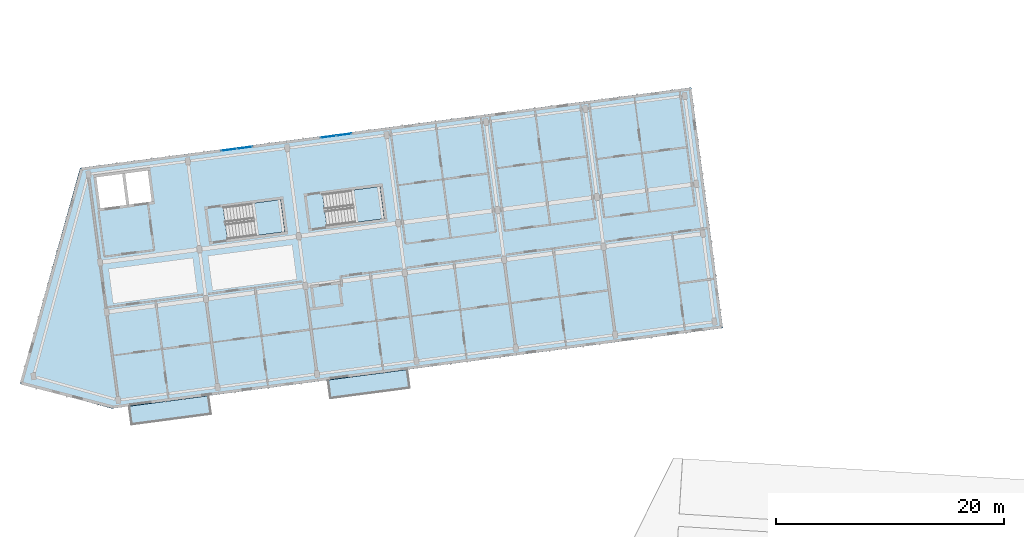
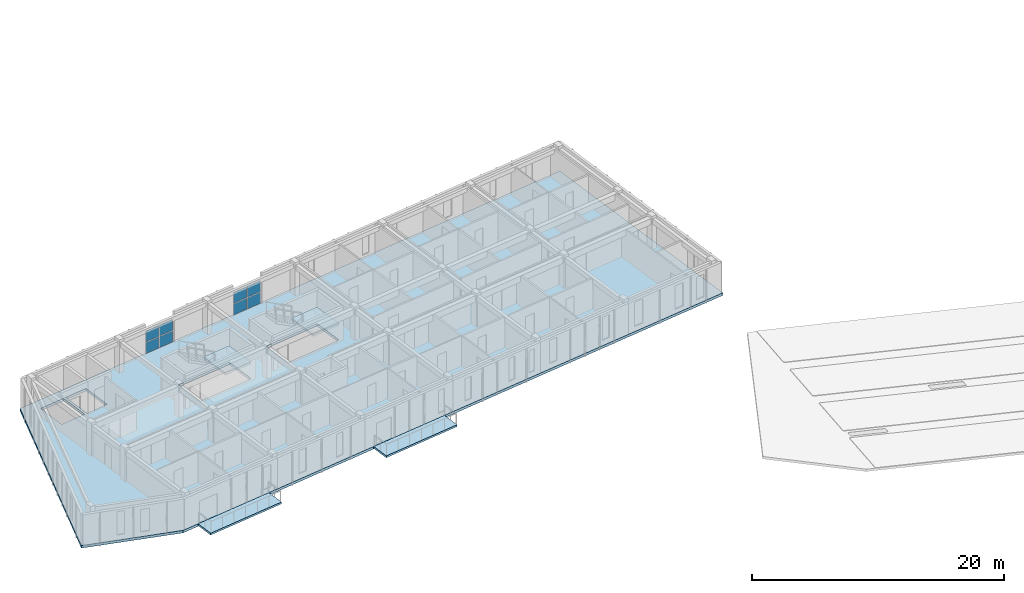
# One storey, part 8 of 34: 8 plates, 5 slabs, 4 elements without a shape of their own.
"""IFC4 building model written with IfcOpenShell, lengths in metres."""

import ifcopenshell
import ifcopenshell.guid

model = None  # the IFC model being written
_history = None  # IfcOwnerHistory: only IFC2X3 demands one
_inside = {}  # id of a spatial element -> (the spatial element, [elements in it])
_under = {}  # id of a project, library or spatial element -> (it, [spatial elements below it])
_declared = {}  # id of a project -> (the project, [libraries it declares])
_typed = {}  # id of a type object -> (the type object, [elements of that type])
_made_of = {}  # id of a material, layer set ... -> (it, [elements and type objects made of it])


def new_model(schema):
    """Start an empty IFC model of exactly this schema.

    Asked for "IFC4X3", IfcOpenShell would pick the latest addendum, in which some entities
    have other attributes; the version numbers below select the first issue.
    IFC2X3 requires an IfcOwnerHistory on every rooted entity: one is made here for all.
    """
    global model, _history
    if schema == "IFC4X3":
        model = ifcopenshell.file(schema_version=(4, 3, 0, 0))
    else:
        model = ifcopenshell.file(schema=schema)
    _inside.clear()
    _under.clear()
    _declared.clear()
    _typed.clear()
    _made_of.clear()
    _history = None
    if model.schema == "IFC2X3":
        org = make("IfcOrganization", Name="unknown")
        user = make(
            "IfcPersonAndOrganization",
            ThePerson=make("IfcPerson", FamilyName="unknown"),
            TheOrganization=org,
        )
        app = make(
            "IfcApplication",
            ApplicationDeveloper=org,
            Version="unknown",
            ApplicationFullName="unknown",
            ApplicationIdentifier="unknown",
        )
        _history = make(
            "IfcOwnerHistory",
            OwningUser=user,
            OwningApplication=app,
            ChangeAction="ADDED",
            CreationDate=0,
        )
    return model


def make(cls, **values):
    """One entity of the class cls with the attributes given. An attribute that is None is left unset."""
    return model.create_entity(
        cls, **{name: value for name, value in values.items() if value is not None}
    )


def rooted(cls, **values):
    """An entity with a GlobalId (a new one), such as an element, a storey or a relation."""
    return make(cls, GlobalId=ifcopenshell.guid.new(), OwnerHistory=_history, **values)


def si_unit(unit_type, name, prefix=None):
    """IfcSIUnit, for example si_unit("LENGTHUNIT", "METRE", prefix="MILLI")."""
    return make("IfcSIUnit", UnitType=unit_type, Prefix=prefix, Name=name)


def assignment(units):
    """IfcUnitAssignment: the units of a project."""
    return None if units is None else make("IfcUnitAssignment", Units=units)


def point(xyz):
    """IfcCartesianPoint."""
    return None if xyz is None else make("IfcCartesianPoint", Coordinates=xyz)


def direction(xyz):
    """IfcDirection."""
    return None if xyz is None else make("IfcDirection", DirectionRatios=xyz)


def frame(location, z_axis=None, x_axis=None):
    """IfcAxis2Placement3D, a coordinate frame: its origin and axes. An axis left out is left unset."""
    return make(
        "IfcAxis2Placement3D",
        Location=point(location),
        Axis=direction(z_axis),
        RefDirection=direction(x_axis),
    )


def frame_2d(location, x_axis=None):
    """IfcAxis2Placement2D, a coordinate frame in the plane: its origin and x axis."""
    return make(
        "IfcAxis2Placement2D", Location=point(location), RefDirection=direction(x_axis)
    )


def origin():
    """The frame at (0, 0, 0) with its axes left unset."""
    return frame((0.0, 0.0, 0.0))


def origin_2d():
    """The frame at (0, 0) in the plane with its x axis left unset."""
    return frame_2d((0.0, 0.0))


def place(relative_to, where):
    """IfcLocalPlacement: puts the frame where relative to a parent placement (None: the world)."""
    return make(
        "IfcLocalPlacement", PlacementRelTo=relative_to, RelativePlacement=where
    )


def context(
    kind, dimensions, precision=None, world=None, true_north=None, identifier=None
):
    """IfcGeometricRepresentationContext, for example the 3D "Model" context."""
    return make(
        "IfcGeometricRepresentationContext",
        ContextIdentifier=identifier,
        ContextType=kind,
        CoordinateSpaceDimension=dimensions,
        Precision=precision,
        WorldCoordinateSystem=world,
        TrueNorth=true_north,
    )


def subcontext(parent, identifier, kind, view, scale=None):
    """IfcGeometricRepresentationSubContext, for example "Body" below "Model"."""
    return make(
        "IfcGeometricRepresentationSubContext",
        ContextIdentifier=identifier,
        ContextType=kind,
        ParentContext=parent,
        TargetScale=scale,
        TargetView=view,
    )


def project(units=None, contexts=None):
    """IfcProject with its units and contexts."""
    return rooted(
        "IfcProject",
        Name="project",
        RepresentationContexts=contexts,
        UnitsInContext=assignment(units),
    )


def spatial(cls, under=None, at=None, **own):
    """A site, building, storey or space (cls), placed at a placement, below another one or the project."""
    s = rooted(cls, ObjectPlacement=at, **own)
    if under is not None:
        _under.setdefault(under.id(), (under, []))[1].append(s)
    return s


def polyline(points):
    """IfcPolyline through the points."""
    return make("IfcPolyline", Points=[point(p) for p in points])


def profile(cls, at=None, kind="AREA", **sizes):
    """A parametric profile (cls). Its sizes go by their IFC names, for example OverallWidth=200.0."""
    return make(cls, ProfileType=kind, Position=at, **sizes)


def rectangle(**sizes):
    """IfcRectangleProfileDef."""
    return profile("IfcRectangleProfileDef", **sizes)


def outline(outer, holes=None, kind="AREA"):
    """IfcArbitraryClosedProfileDef: a profile drawn as a closed curve; with holes, ...WithVoids."""
    if holes is None:
        return make("IfcArbitraryClosedProfileDef", ProfileType=kind, OuterCurve=outer)
    return make(
        "IfcArbitraryProfileDefWithVoids",
        ProfileType=kind,
        OuterCurve=outer,
        InnerCurves=holes,
    )


def extrude(swept, where, along, depth):
    """IfcExtrudedAreaSolid: the profile swept, set in the frame where, extruded along a direction by depth."""
    return make(
        "IfcExtrudedAreaSolid",
        SweptArea=swept,
        Position=where,
        ExtrudedDirection=direction(along),
        Depth=depth,
    )


def shape(context_of_items, identifier, shape_type, items):
    """IfcShapeRepresentation: the items that make up one representation, for example the "Body"."""
    return make(
        "IfcShapeRepresentation",
        ContextOfItems=context_of_items,
        RepresentationIdentifier=identifier,
        RepresentationType=shape_type,
        Items=items,
    )


def material(Name=None, Category=None):
    """IfcMaterial."""
    return make("IfcMaterial", Name=Name, Category=Category)


def layer(
    of_material, thickness, ventilated=None, Name=None, Category=None, Priority=None
):
    """IfcMaterialLayer: one layer of a wall or slab, of a material (None: an air gap)."""
    return make(
        "IfcMaterialLayer",
        Material=of_material,
        LayerThickness=thickness,
        IsVentilated=ventilated,
        Name=Name,
        Category=Category,
        Priority=Priority,
    )


def layer_set(layers, Name=None):
    """IfcMaterialLayerSet."""
    return make("IfcMaterialLayerSet", MaterialLayers=layers, LayerSetName=Name)


def made_of(thing, what):
    """Note that an element or type object is made of a material, layer set ...; save() writes the relation."""
    if what is not None:
        _made_of.setdefault(what.id(), (what, []))[1].append(thing)
    return thing


def type_object(cls, material=None, **own):
    """A type object (cls), such as IfcWallType, which elements share."""
    return made_of(rooted(cls, **own), material)


def element(
    cls,
    number,
    at=None,
    inside=None,
    cuts=None,
    type_object=None,
    material=None,
    context=None,
    identifier="Body",
    shape_type=None,
    held_by="IfcProductDefinitionShape",
    body=None,
    shapes=None,
    **own,
):
    """One element of the class cls, such as IfcWall. Its Tag is "e" and its number.

    at: its placement. inside: the storey or other place that contains it. cuts: it is an
    opening in that element (IfcRelVoidsElement). A single representation is given by context,
    identifier, shape_type and body (its items); several are given by shapes. held_by: the class
    of the entity that holds the representations. save() writes the other relations.
    """
    e = rooted(cls, Tag="e%d" % number, ObjectPlacement=at, **own)
    if body is not None:
        shapes = [shape(context, identifier, shape_type, body)]
    if shapes is not None:
        e.Representation = make(held_by, Representations=shapes)
    if inside is not None:
        _inside.setdefault(inside.id(), (inside, []))[1].append(e)
    if cuts is not None:
        rooted(
            "IfcRelVoidsElement", RelatingBuildingElement=cuts, RelatedOpeningElement=e
        )
    if type_object is not None:
        _typed.setdefault(type_object.id(), (type_object, []))[1].append(e)
    return made_of(e, material)


def aggregate(whole, parts):
    """IfcRelAggregates: a whole, such as a stair, and the parts it consists of."""
    return rooted("IfcRelAggregates", RelatingObject=whole, RelatedObjects=parts)


def save(model, path):
    """Write the relations noted so far, then the file.

    IfcRelAggregates (storeys below a building ...), IfcRelContainedInSpatialStructure (elements
    in a storey), IfcRelDefinesByType, IfcRelAssociatesMaterial and IfcRelDeclares: one each for
    every whole, place, type object, material and project.
    """
    for whole, parts in _under.values():
        aggregate(whole, parts)
    for where, things in _inside.values():
        rooted(
            "IfcRelContainedInSpatialStructure",
            RelatedElements=things,
            RelatingStructure=where,
        )
    for kind, things in _typed.values():
        rooted("IfcRelDefinesByType", RelatedObjects=things, RelatingType=kind)
    for what, things in _made_of.values():
        rooted("IfcRelAssociatesMaterial", RelatedObjects=things, RelatingMaterial=what)
    for by, libraries in _declared.values():
        rooted("IfcRelDeclares", RelatingContext=by, RelatedDefinitions=libraries)
    model.write(path)


model = new_model("IFC4")

# Units and contexts
model_context = context("Model", 3, precision=1e-05, world=origin(), true_north=direction((0.0, 1.0)))
body_context = subcontext(model_context, "Body", "Model", "MODEL_VIEW")
ifc_project = project(units=[si_unit("LENGTHUNIT", "METRE"), si_unit("AREAUNIT", "SQUARE_METRE"), si_unit("VOLUMEUNIT", "CUBIC_METRE"), si_unit("PLANEANGLEUNIT", "RADIAN"), si_unit("MASSUNIT", "GRAM", prefix="KILO")], contexts=[model_context])

# Site, building, storey
site_placement = place(None, origin())
site = spatial("IfcSite", under=ifc_project, at=site_placement, CompositionType="ELEMENT")
building_placement = place(site_placement, origin())
building = spatial("IfcBuilding", under=site, at=building_placement, Name="Kestramere Prow Commons", CompositionType="ELEMENT")
storey_placement = place(building_placement, frame((0.0, 0.0, 34.39990234375)))
storey = spatial("IfcBuildingStorey", under=building, at=storey_placement, Name="L10", CompositionType="ELEMENT", Elevation=34.39990234375)

# Curtain wall, plates
ifc_material_1 = material(Name="Anodised Aluminium and Low-E Glass", Category="aluminium")
curtain_wall_type = type_object("IfcCurtainWallType", Name="CW-03 Glazed Curtain Wall 2830x2320", PredefinedType="USERDEFINED", material=ifc_material_1)
curtain_wall_1_placement = place(storey_placement, origin())
curtain_wall_1 = element("IfcCurtainWall", 1, at=curtain_wall_1_placement, inside=storey, type_object=curtain_wall_type, Name="Block A L10 Stairwell Vertical Glazing 2", ObjectType="GLAZED CURTAIN WALL", PredefinedType="USERDEFINED")
ifc_material_2 = material(Name="Low-E Laminated Double Glazing", Category="glass")
ifc_layer_1 = layer(ifc_material_2, 0.028076171875)
ifc_layer_set_1 = layer_set([ifc_layer_1], Name="Low-E Laminated Double Glazing")
plate_type = type_object("IfcPlateType", Name="CW-PNL-28", PredefinedType="CURTAIN_PANEL", material=ifc_layer_set_1)
plate_1_placement = place(storey_placement, frame((20.922607421875, 93.982177734375, 0.065185546875), z_axis=(0.0, 0.0, 1.0), x_axis=(0.991444867297, 0.13052614723, 0.0)))
plate_1 = element("IfcPlate", 2, at=plate_1_placement, type_object=plate_type, Name="CW-03 panel 1.1", PredefinedType="CURTAIN_PANEL", context=body_context, shape_type="SweptSolid", body=[
    extrude(rectangle(XDim=1.3173828125, YDim=0.028076171875, at=origin_2d()), origin(), (0.0, 0.0, 1.0), 1.0625),
])
plate_2_placement = place(storey_placement, frame((20.922607421875, 93.982177734375, 1.192626953125), z_axis=(0.0, 0.0, 1.0), x_axis=(0.991444867297, 0.13052614723, 0.0)))
plate_2 = element("IfcPlate", 3, at=plate_2_placement, type_object=plate_type, Name="CW-03 panel 1.2", PredefinedType="CURTAIN_PANEL", context=body_context, shape_type="SweptSolid", body=[
    extrude(rectangle(XDim=1.3173828125, YDim=0.028076171875, at=origin_2d()), origin(), (0.0, 0.0, 1.0), 1.0625),
])
plate_3_placement = place(storey_placement, frame((22.29345703125, 94.16259765625, 0.065185546875), z_axis=(0.0, 0.0, 1.0), x_axis=(0.991444867297, 0.13052614723, 0.0)))
plate_3 = element("IfcPlate", 4, at=plate_3_placement, type_object=plate_type, Name="CW-03 panel 2.1", PredefinedType="CURTAIN_PANEL", context=body_context, shape_type="SweptSolid", body=[
    extrude(rectangle(XDim=1.3173828125, YDim=0.028076171875, at=origin_2d()), origin(), (0.0, 0.0, 1.0), 1.0625),
])
plate_4_placement = place(storey_placement, frame((22.29345703125, 94.16259765625, 1.192626953125), z_axis=(0.0, 0.0, 1.0), x_axis=(0.991444867297, 0.13052614723, 0.0)))
plate_4 = element("IfcPlate", 5, at=plate_4_placement, type_object=plate_type, Name="CW-03 panel 2.2", PredefinedType="CURTAIN_PANEL", context=body_context, shape_type="SweptSolid", body=[
    extrude(rectangle(XDim=1.3173828125, YDim=0.028076171875, at=origin_2d()), origin(), (0.0, 0.0, 1.0), 1.0625),
])
aggregate(curtain_wall_1, [plate_1, plate_2, plate_3, plate_4])

curtain_wall_2_placement = place(storey_placement, origin())
curtain_wall_2 = element("IfcCurtainWall", 6, at=curtain_wall_2_placement, inside=storey, type_object=curtain_wall_type, Name="Block A L10 Stairwell Vertical Glazing 3", ObjectType="GLAZED CURTAIN WALL", PredefinedType="USERDEFINED")
plate_5_placement = place(storey_placement, frame((29.6474609375, 95.130859375, 0.065185546875), z_axis=(0.0, 0.0, 1.0), x_axis=(0.991444821571, 0.130526494555, 0.0)))
plate_5 = element("IfcPlate", 7, at=plate_5_placement, type_object=plate_type, Name="CW-03 panel 1.1", PredefinedType="CURTAIN_PANEL", context=body_context, shape_type="SweptSolid", body=[
    extrude(rectangle(XDim=1.3173828125, YDim=0.028076171875, at=origin_2d()), origin(), (0.0, 0.0, 1.0), 1.0625),
])
plate_6_placement = place(storey_placement, frame((29.6474609375, 95.130859375, 1.192626953125), z_axis=(0.0, 0.0, 1.0), x_axis=(0.991444821571, 0.130526494555, 0.0)))
plate_6 = element("IfcPlate", 8, at=plate_6_placement, type_object=plate_type, Name="CW-03 panel 1.2", PredefinedType="CURTAIN_PANEL", context=body_context, shape_type="SweptSolid", body=[
    extrude(rectangle(XDim=1.3173828125, YDim=0.028076171875, at=origin_2d()), origin(), (0.0, 0.0, 1.0), 1.0625),
])
plate_7_placement = place(storey_placement, frame((31.01806640625, 95.311279296875, 0.065185546875), z_axis=(0.0, 0.0, 1.0), x_axis=(0.991444821571, 0.130526494555, 0.0)))
plate_7 = element("IfcPlate", 9, at=plate_7_placement, type_object=plate_type, Name="CW-03 panel 2.1", PredefinedType="CURTAIN_PANEL", context=body_context, shape_type="SweptSolid", body=[
    extrude(rectangle(XDim=1.3173828125, YDim=0.028076171875, at=origin_2d()), origin(), (0.0, 0.0, 1.0), 1.0625),
])
plate_8_placement = place(storey_placement, frame((31.01806640625, 95.311279296875, 1.192626953125), z_axis=(0.0, 0.0, 1.0), x_axis=(0.991444821571, 0.130526494555, 0.0)))
plate_8 = element("IfcPlate", 10, at=plate_8_placement, type_object=plate_type, Name="CW-03 panel 2.2", PredefinedType="CURTAIN_PANEL", context=body_context, shape_type="SweptSolid", body=[
    extrude(rectangle(XDim=1.3173828125, YDim=0.028076171875, at=origin_2d()), origin(), (0.0, 0.0, 1.0), 1.0625),
])
aggregate(curtain_wall_2, [plate_5, plate_6, plate_7, plate_8])

# Slabs
ifc_material_3 = material(Name="Precast concrete C40/50", Category="concrete")
ifc_layer_2 = layer(ifc_material_3, 0.179931640625)
ifc_layer_set_2 = layer_set([ifc_layer_2], Name="Precast concrete C40/50")
slab_type_1 = type_object("IfcSlabType", Name="SL-BALC-180", PredefinedType="FLOOR", material=ifc_layer_set_2)
slab_1_placement = place(storey_placement, frame((0.0, 0.0, -0.179931640625)))
element("IfcSlab", 11, at=slab_1_placement, inside=storey, type_object=slab_type_1, Name="Block A L10 Apartment Balcony Slab 1", PredefinedType="FLOOR", context=body_context, shape_type="SweptSolid", body=[
    extrude(outline(polyline([(12.343017578125, 69.83056640625), (19.382080078125, 70.75732421875), (19.166748046875, 72.393310546875), (12.127685546875, 71.466552734375), (12.343017578125, 69.83056640625)])), origin(), (0.0, 0.0, 1.0), 0.179931640625),
])
slab_2_placement = place(storey_placement, frame((0.0, 0.0, -0.179931640625)))
element("IfcSlab", 12, at=slab_2_placement, inside=storey, type_object=slab_type_1, Name="Block A L10 Apartment Balcony Slab 3", PredefinedType="FLOOR", context=body_context, shape_type="SweptSolid", body=[
    extrude(outline(polyline([(29.79248046875, 72.1279296875), (36.83154296875, 73.0546875), (36.6162109375, 74.6904296875), (29.576904296875, 73.763671875), (29.79248046875, 72.1279296875)])), origin(), (0.0, 0.0, 1.0), 0.179931640625),
])
ifc_layer_3 = layer(ifc_material_3, 0.25)
ifc_layer_set_3 = layer_set([ifc_layer_3], Name="Precast concrete C40/50")
slab_type_2 = type_object("IfcSlabType", Name="SL-HC-250", PredefinedType="FLOOR", material=ifc_layer_set_3)
slab_3_placement = place(storey_placement, frame((0.0, 0.0, -0.25)))
element("IfcSlab", 13, at=slab_3_placement, inside=storey, type_object=slab_type_2, Name="Block A L10 Hollowcore Floor Slab", PredefinedType="FLOOR", context=body_context, shape_type="SweptSolid", body=[
    extrude(outline(polyline([(2.58203125, 73.48779296875), (10.640380859375, 71.270751953125), (64.277587890625, 78.332275390625), (61.497314453125, 99.449951171875), (7.860107421875, 92.388427734375), (2.58203125, 73.48779296875)]), holes=[polyline([(9.638427734375, 88.84033203125), (11.9189453125, 89.140380859375), (11.559814453125, 91.866943359375), (9.279541015625, 91.566650390625), (9.638427734375, 88.84033203125)]), polyline([(12.166748046875, 89.173095703125), (14.149658203125, 89.43408203125), (13.790771484375, 92.16064453125), (11.807861328125, 91.899658203125), (12.166748046875, 89.173095703125)]), polyline([(20.78857421875, 86.122314453125), (25.844970703125, 86.7880859375), (25.47314453125, 89.61376953125), (20.416748046875, 88.947998046875), (20.78857421875, 86.122314453125)]), polyline([(29.513427734375, 87.27099609375), (34.56982421875, 87.936767578125), (34.19775390625, 90.76220703125), (29.141357421875, 90.0966796875), (29.513427734375, 87.27099609375)])]), origin(), (0.0, 0.0, 1.0), 0.25),
])

# Stair, slab
ifc_material_4 = material(Name="Concrete C40/50", Category="concrete")
stair_type = type_object("IfcStairType", Name="ST-DOG-1350", PredefinedType="HALF_TURN_STAIR", material=ifc_material_4)
stair_1_placement = place(storey_placement, origin())
stair_1 = element("IfcStair", 14, at=stair_1_placement, inside=storey, type_object=stair_type, Name="L10 Block A Exit Stair 1", PredefinedType="HALF_TURN_STAIR")
ifc_layer_4 = layer(ifc_material_4, 0.199951171875)
ifc_layer_set_4 = layer_set([ifc_layer_4], Name="Concrete C40/50")
slab_type_3 = type_object("IfcSlabType", Name="SL-ST-LAND-200", PredefinedType="LANDING", material=ifc_layer_set_4)
slab_4_placement = place(storey_placement, frame((0.0, 0.0, 1.425048828125)))
slab_4 = element("IfcSlab", 15, at=slab_4_placement, type_object=slab_type_3, Name="ST-A1 landing 1", PredefinedType="LANDING", context=body_context, shape_type="SweptSolid", body=[
    extrude(outline(polyline([(23.287109375, 86.451416015625), (25.844970703125, 86.7880859375), (25.47314453125, 89.61376953125), (22.9150390625, 89.27685546875), (23.287109375, 86.451416015625)])), origin(), (0.0, 0.0, 1.0), 0.199951171875),
])
aggregate(stair_1, [slab_4])

stair_2_placement = place(storey_placement, origin())
stair_2 = element("IfcStair", 16, at=stair_2_placement, inside=storey, type_object=stair_type, Name="L10 Block A Exit Stair 2", PredefinedType="HALF_TURN_STAIR")
slab_5_placement = place(storey_placement, frame((0.0, 0.0, 1.425048828125)))
slab_5 = element("IfcSlab", 17, at=slab_5_placement, type_object=slab_type_3, Name="ST-A2 landing 1", PredefinedType="LANDING", context=body_context, shape_type="SweptSolid", body=[
    extrude(outline(polyline([(32.011962890625, 87.599853515625), (34.56982421875, 87.936767578125), (34.19775390625, 90.76220703125), (31.639892578125, 90.425537109375), (32.011962890625, 87.599853515625)])), origin(), (0.0, 0.0, 1.0), 0.199951171875),
])
aggregate(stair_2, [slab_5])

save(model, "model.ifc")
